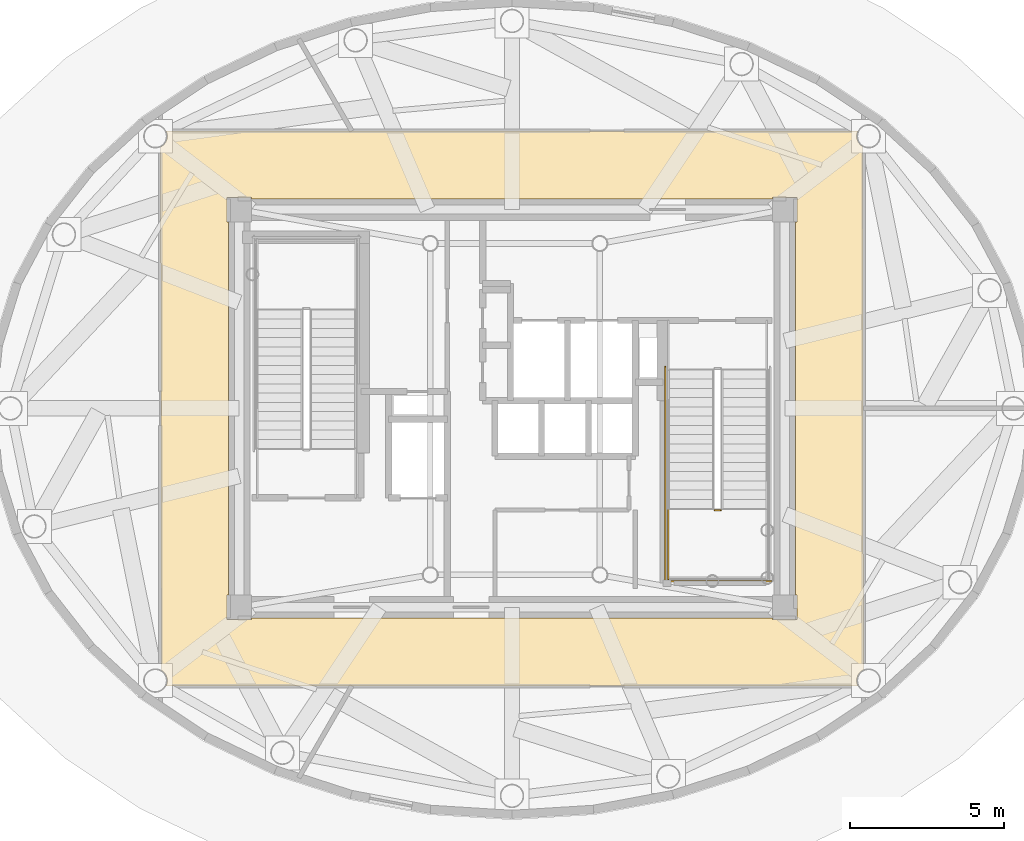
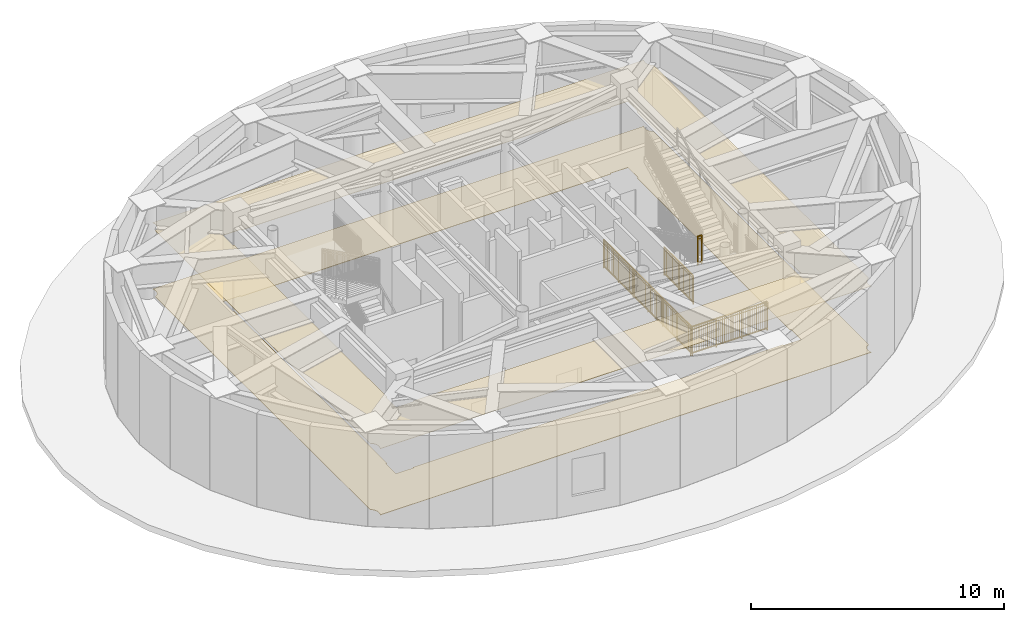
# One storey, part 8 of 11: 4 railings, 2 coverings.
"""IFC4 building model written with IfcOpenShell, lengths in metres."""

from ifc_helpers import new_model, si_unit, direction, frame, origin, origin_2d, place, context, subcontext, project, spatial, polyline, rectangle, outline, extrude, source, transform, mapped, material, layer, layer_set, type_object, element, save


model = new_model("IFC4")

# Units and contexts
model_context = context("Model", 3, precision=1e-05, world=origin(), true_north=direction((0.0, 1.0)))
body_context = subcontext(model_context, "Body", "Model", "MODEL_VIEW")
ifc_project = project(units=[si_unit("LENGTHUNIT", "METRE"), si_unit("AREAUNIT", "SQUARE_METRE"), si_unit("VOLUMEUNIT", "CUBIC_METRE"), si_unit("PLANEANGLEUNIT", "RADIAN"), si_unit("MASSUNIT", "GRAM", prefix="KILO")], contexts=[model_context])

# Site, building, storey
site_placement = place(None, origin())
site = spatial("IfcSite", under=ifc_project, at=site_placement, CompositionType="ELEMENT")
building_placement = place(site_placement, origin())
building = spatial("IfcBuilding", under=site, at=building_placement, Name="Linh Dai School and Residence Tower", CompositionType="ELEMENT")
storey_placement = place(building_placement, frame((0.0, 0.0, 363.60009765625)))
storey = spatial("IfcBuildingStorey", under=building, at=storey_placement, Name="L90", CompositionType="ELEMENT", Elevation=363.60009765625)

# Coverings
ifc_material_1 = material(Name="Mineral Fibre Acoustic Suspended Ceiling", Category="masonry")
ifc_layer_1 = layer(ifc_material_1, 0.02001953125)
ifc_layer_set_1 = layer_set([ifc_layer_1], Name="Mineral Fibre Acoustic Suspended Ceiling")
covering_type_1 = type_object("IfcCoveringType", Name="COV-CEIL-AC-20", PredefinedType="CEILING", material=ifc_layer_set_1)
covering_1_placement = place(storey_placement, frame((0.0, 0.0, 3.199951171875)))
element("IfcCovering", 1, at=covering_1_placement, inside=storey, type_object=covering_type_1, Name="L90 Crown Plant Ring Corridor Suspended Ceiling", PredefinedType="CEILING", context=body_context, shape_type="SweptSolid", body=[
    extrude(outline(polyline([(24.60009765625, 35.4775390625), (24.70751953125, 35.55078125), (24.77001953125, 35.63232421875), (24.80908203125, 35.72705078125), (24.822509765625, 35.828857421875), (24.80908203125, 35.930419921875), (24.780517578125, 36.0), (47.219482421875, 36.0), (47.19091796875, 35.930419921875), (47.177490234375, 35.828857421875), (47.19091796875, 35.72705078125), (47.22998046875, 35.63232421875), (47.29248046875, 35.55078125), (47.373779296875, 35.48828125), (47.39990234375, 18.5224609375), (47.29248046875, 18.44921875), (47.22998046875, 18.36767578125), (47.19091796875, 18.27294921875), (47.177490234375, 18.171142578125), (47.19091796875, 18.069580078125), (47.219482421875, 18.0), (24.780517578125, 18.0), (24.80908203125, 18.069580078125), (24.822509765625, 18.171142578125), (24.80908203125, 18.27294921875), (24.77001953125, 18.36767578125), (24.70751953125, 18.44921875), (24.626220703125, 18.51171875), (24.60009765625, 35.4775390625)]), holes=[polyline([(26.800048828125, 20.949951171875), (26.75, 20.949951171875), (26.75, 20.14990234375), (27.550048828125, 20.14990234375), (27.550048828125, 20.199951171875), (44.449951171875, 20.199951171875), (44.449951171875, 20.14990234375), (45.25, 20.14990234375), (45.25, 20.949951171875), (45.199951171875, 20.949951171875), (45.199951171875, 33.050048828125), (45.25, 33.050048828125), (45.25, 33.85009765625), (44.449951171875, 33.85009765625), (44.449951171875, 33.800048828125), (27.550048828125, 33.800048828125), (27.550048828125, 33.85009765625), (26.75, 33.85009765625), (26.75, 33.050048828125), (26.800048828125, 33.050048828125), (26.800048828125, 20.949951171875)])]), origin(), (0.0, 0.0, 1.0), 0.02001953125),
])
ifc_material_2 = material(Name="Polished Terrazzo Floor Finish", Category="masonry")
ifc_layer_2 = layer(ifc_material_2, 0.02490234375)
ifc_layer_set_2 = layer_set([ifc_layer_2], Name="Polished Terrazzo Floor Finish")
covering_type_2 = type_object("IfcCoveringType", Name="COV-FLR-TRZ-25", PredefinedType="FLOORING", material=ifc_layer_set_2)
covering_2_placement = place(storey_placement, origin())
element("IfcCovering", 2, at=covering_2_placement, inside=storey, type_object=covering_type_2, Name="L90 Crown Plant Ring Corridor Floor Finish", PredefinedType="FLOORING", context=body_context, shape_type="SweptSolid", body=[
    extrude(outline(polyline([(24.60009765625, 35.4775390625), (24.70751953125, 35.55078125), (24.77001953125, 35.63232421875), (24.80908203125, 35.72705078125), (24.822509765625, 35.828857421875), (24.80908203125, 35.930419921875), (24.780517578125, 36.0), (47.219482421875, 36.0), (47.19091796875, 35.930419921875), (47.177490234375, 35.828857421875), (47.19091796875, 35.72705078125), (47.22998046875, 35.63232421875), (47.29248046875, 35.55078125), (47.373779296875, 35.48828125), (47.39990234375, 18.5224609375), (47.29248046875, 18.44921875), (47.22998046875, 18.36767578125), (47.19091796875, 18.27294921875), (47.177490234375, 18.171142578125), (47.19091796875, 18.069580078125), (47.219482421875, 18.0), (24.780517578125, 18.0), (24.80908203125, 18.069580078125), (24.822509765625, 18.171142578125), (24.80908203125, 18.27294921875), (24.77001953125, 18.36767578125), (24.70751953125, 18.44921875), (24.626220703125, 18.51171875), (24.60009765625, 35.4775390625)]), holes=[polyline([(26.800048828125, 20.949951171875), (26.75, 20.949951171875), (26.75, 20.14990234375), (27.550048828125, 20.14990234375), (27.550048828125, 20.199951171875), (44.449951171875, 20.199951171875), (44.449951171875, 20.14990234375), (45.25, 20.14990234375), (45.25, 20.949951171875), (45.199951171875, 20.949951171875), (45.199951171875, 33.050048828125), (45.25, 33.050048828125), (45.25, 33.85009765625), (44.449951171875, 33.85009765625), (44.449951171875, 33.800048828125), (27.550048828125, 33.800048828125), (27.550048828125, 33.85009765625), (26.75, 33.85009765625), (26.75, 33.050048828125), (26.800048828125, 33.050048828125), (26.800048828125, 20.949951171875)])]), origin(), (0.0, 0.0, 1.0), 0.02001953125),
])

# Railings
ifc_material_3 = material(Name="Structural Steel S355JR", Category="steel")
railing_type = type_object("IfcRailingType", Name="RL-ST-GUARD-1400", PredefinedType="GUARDRAIL", material=ifc_material_3)
shared_shape_1 = source(origin(), body_context, "Body", "SweptSolid", [
    extrude(rectangle(XDim=0.048095703125, YDim=0.048095703125, at=origin_2d()), frame((0.0, 0.0, 1.3759765625), z_axis=(1.0, 0.0, 0.0), x_axis=(0.0, 1.0, 0.0)), (0.0, 0.0, 1.0), 0.199951171875),
    extrude(rectangle(XDim=0.048095703125, YDim=0.048095703125, at=origin_2d()), frame((0.0, 0.0, 0.10009765625), z_axis=(1.0, 0.0, 0.0), x_axis=(0.0, 1.0, 0.0)), (0.0, 0.0, 1.0), 0.199951171875),
    extrude(rectangle(XDim=0.030029296875, YDim=0.030029296875, at=origin_2d()), frame((0.0, 0.0, 1.239990234375), z_axis=(1.0, 0.0, 0.0), x_axis=(0.0, 1.0, 0.0)), (0.0, 0.0, 1.0), 0.199951171875),
    extrude(rectangle(XDim=0.0419921875, YDim=0.0419921875, at=origin_2d()), origin(), (0.0, 0.0, 1.0), 1.3759765625),
    extrude(rectangle(XDim=0.0419921875, YDim=0.0419921875, at=origin_2d()), frame((0.199951171875, 0.0, 0.0)), (0.0, 0.0, 1.0), 1.3759765625),
])
railing_1_placement = place(storey_placement, frame((42.570068359375, 23.699951171875, 2.39990234375)))
element("IfcRailing", 3, at=railing_1_placement, inside=storey, type_object=railing_type, Name="L90 ST2 stair guard 2", PredefinedType="GUARDRAIL", context=body_context, shape_type="MappedRepresentation", body=[
    mapped(shared_shape_1, transform((0.0, 0.0, 0.0), x_axis=(1.0, 0.0, 0.0), y_axis=(0.0, 1.0, 0.0), z_axis=(0.0, 0.0, 1.0), scale=1.0)),
])
shared_shape_2 = source(origin(), body_context, "Body", "SweptSolid", [
    extrude(rectangle(XDim=0.048095703125, YDim=0.048095703125, at=origin_2d()), frame((0.0, 0.0, 1.3759765625), z_axis=(0.0, -1.0, 0.0), x_axis=(1.0, 0.0, 0.0)), (0.0, 0.0, 1.0), 7.0),
    extrude(rectangle(XDim=0.048095703125, YDim=0.048095703125, at=origin_2d()), frame((0.0, 0.0, 0.10009765625), z_axis=(0.0, -1.0, 0.0), x_axis=(1.0, 0.0, 0.0)), (0.0, 0.0, 1.0), 7.0),
    extrude(rectangle(XDim=0.030029296875, YDim=0.030029296875, at=origin_2d()), frame((0.0, 0.0, 1.239990234375), z_axis=(0.0, -1.0, 0.0), x_axis=(1.0, 0.0, 0.0)), (0.0, 0.0, 1.0), 7.0),
    extrude(rectangle(XDim=0.02001953125, YDim=0.02001953125, at=origin_2d()), frame((0.0, -0.09716796875, 0.10009765625)), (0.0, 0.0, 1.0), 1.251708984375),
    extrude(rectangle(XDim=0.02001953125, YDim=0.02001953125, at=origin_2d()), frame((0.0, -0.1943359375, 0.10009765625)), (0.0, 0.0, 1.0), 1.251708984375),
    extrude(rectangle(XDim=0.02001953125, YDim=0.02001953125, at=origin_2d()), frame((0.0, -0.291748046875, 0.10009765625)), (0.0, 0.0, 1.0), 1.251708984375),
    extrude(rectangle(XDim=0.02001953125, YDim=0.02001953125, at=origin_2d()), frame((0.0, -0.388916015625, 0.10009765625)), (0.0, 0.0, 1.0), 1.251708984375),
    extrude(rectangle(XDim=0.02001953125, YDim=0.02001953125, at=origin_2d()), frame((0.0, -0.486083984375, 0.10009765625)), (0.0, 0.0, 1.0), 1.251708984375),
    extrude(rectangle(XDim=0.02001953125, YDim=0.02001953125, at=origin_2d()), frame((0.0, -0.583251953125, 0.10009765625)), (0.0, 0.0, 1.0), 1.251708984375),
    extrude(rectangle(XDim=0.02001953125, YDim=0.02001953125, at=origin_2d()), frame((0.0, -0.6806640625, 0.10009765625)), (0.0, 0.0, 1.0), 1.251708984375),
    extrude(rectangle(XDim=0.02001953125, YDim=0.02001953125, at=origin_2d()), frame((0.0, -0.77783203125, 0.10009765625)), (0.0, 0.0, 1.0), 1.251708984375),
    extrude(rectangle(XDim=0.02001953125, YDim=0.02001953125, at=origin_2d()), frame((0.0, -0.875, 0.10009765625)), (0.0, 0.0, 1.0), 1.251708984375),
    extrude(rectangle(XDim=0.02001953125, YDim=0.02001953125, at=origin_2d()), frame((0.0, -0.97216796875, 0.10009765625)), (0.0, 0.0, 1.0), 1.251708984375),
    extrude(rectangle(XDim=0.02001953125, YDim=0.02001953125, at=origin_2d()), frame((0.0, -1.0693359375, 0.10009765625)), (0.0, 0.0, 1.0), 1.251708984375),
    extrude(rectangle(XDim=0.02001953125, YDim=0.02001953125, at=origin_2d()), frame((0.0, -1.263916015625, 0.10009765625)), (0.0, 0.0, 1.0), 1.251708984375),
    extrude(rectangle(XDim=0.02001953125, YDim=0.02001953125, at=origin_2d()), frame((0.0, -1.361083984375, 0.10009765625)), (0.0, 0.0, 1.0), 1.251708984375),
    extrude(rectangle(XDim=0.02001953125, YDim=0.02001953125, at=origin_2d()), frame((0.0, -1.458251953125, 0.10009765625)), (0.0, 0.0, 1.0), 1.251708984375),
    extrude(rectangle(XDim=0.02001953125, YDim=0.02001953125, at=origin_2d()), frame((0.0, -1.5556640625, 0.10009765625)), (0.0, 0.0, 1.0), 1.251708984375),
    extrude(rectangle(XDim=0.02001953125, YDim=0.02001953125, at=origin_2d()), frame((0.0, -1.65283203125, 0.10009765625)), (0.0, 0.0, 1.0), 1.251708984375),
    extrude(rectangle(XDim=0.02001953125, YDim=0.02001953125, at=origin_2d()), frame((0.0, -1.75, 0.10009765625)), (0.0, 0.0, 1.0), 1.251708984375),
    extrude(rectangle(XDim=0.02001953125, YDim=0.02001953125, at=origin_2d()), frame((0.0, -1.84716796875, 0.10009765625)), (0.0, 0.0, 1.0), 1.251708984375),
    extrude(rectangle(XDim=0.02001953125, YDim=0.02001953125, at=origin_2d()), frame((0.0, -1.9443359375, 0.10009765625)), (0.0, 0.0, 1.0), 1.251708984375),
    extrude(rectangle(XDim=0.02001953125, YDim=0.02001953125, at=origin_2d()), frame((0.0, -2.041748046875, 0.10009765625)), (0.0, 0.0, 1.0), 1.251708984375),
    extrude(rectangle(XDim=0.02001953125, YDim=0.02001953125, at=origin_2d()), frame((0.0, -2.138916015625, 0.10009765625)), (0.0, 0.0, 1.0), 1.251708984375),
    extrude(rectangle(XDim=0.02001953125, YDim=0.02001953125, at=origin_2d()), frame((0.0, -2.236083984375, 0.10009765625)), (0.0, 0.0, 1.0), 1.251708984375),
    extrude(rectangle(XDim=0.02001953125, YDim=0.02001953125, at=origin_2d()), frame((0.0, -2.4306640625, 0.10009765625)), (0.0, 0.0, 1.0), 1.251708984375),
    extrude(rectangle(XDim=0.02001953125, YDim=0.02001953125, at=origin_2d()), frame((0.0, -2.52783203125, 0.10009765625)), (0.0, 0.0, 1.0), 1.251708984375),
    extrude(rectangle(XDim=0.02001953125, YDim=0.02001953125, at=origin_2d()), frame((0.0, -2.625, 0.10009765625)), (0.0, 0.0, 1.0), 1.251708984375),
    extrude(rectangle(XDim=0.02001953125, YDim=0.02001953125, at=origin_2d()), frame((0.0, -2.72216796875, 0.10009765625)), (0.0, 0.0, 1.0), 1.251708984375),
    extrude(rectangle(XDim=0.02001953125, YDim=0.02001953125, at=origin_2d()), frame((0.0, -2.8193359375, 0.10009765625)), (0.0, 0.0, 1.0), 1.251708984375),
    extrude(rectangle(XDim=0.02001953125, YDim=0.02001953125, at=origin_2d()), frame((0.0, -2.916748046875, 0.10009765625)), (0.0, 0.0, 1.0), 1.251708984375),
    extrude(rectangle(XDim=0.02001953125, YDim=0.02001953125, at=origin_2d()), frame((0.0, -3.013916015625, 0.10009765625)), (0.0, 0.0, 1.0), 1.251708984375),
    extrude(rectangle(XDim=0.02001953125, YDim=0.02001953125, at=origin_2d()), frame((0.0, -3.111083984375, 0.10009765625)), (0.0, 0.0, 1.0), 1.251708984375),
    extrude(rectangle(XDim=0.02001953125, YDim=0.02001953125, at=origin_2d()), frame((0.0, -3.208251953125, 0.10009765625)), (0.0, 0.0, 1.0), 1.251708984375),
    extrude(rectangle(XDim=0.02001953125, YDim=0.02001953125, at=origin_2d()), frame((0.0, -3.3056640625, 0.10009765625)), (0.0, 0.0, 1.0), 1.251708984375),
    extrude(rectangle(XDim=0.02001953125, YDim=0.02001953125, at=origin_2d()), frame((0.0, -3.40283203125, 0.10009765625)), (0.0, 0.0, 1.0), 1.251708984375),
    extrude(rectangle(XDim=0.02001953125, YDim=0.02001953125, at=origin_2d()), frame((0.0, -3.59716796875, 0.10009765625)), (0.0, 0.0, 1.0), 1.251708984375),
    extrude(rectangle(XDim=0.02001953125, YDim=0.02001953125, at=origin_2d()), frame((0.0, -3.6943359375, 0.10009765625)), (0.0, 0.0, 1.0), 1.251708984375),
    extrude(rectangle(XDim=0.02001953125, YDim=0.02001953125, at=origin_2d()), frame((0.0, -3.791748046875, 0.10009765625)), (0.0, 0.0, 1.0), 1.251708984375),
    extrude(rectangle(XDim=0.02001953125, YDim=0.02001953125, at=origin_2d()), frame((0.0, -3.888916015625, 0.10009765625)), (0.0, 0.0, 1.0), 1.251708984375),
    extrude(rectangle(XDim=0.02001953125, YDim=0.02001953125, at=origin_2d()), frame((0.0, -3.986083984375, 0.10009765625)), (0.0, 0.0, 1.0), 1.251708984375),
    extrude(rectangle(XDim=0.02001953125, YDim=0.02001953125, at=origin_2d()), frame((0.0, -4.083251953125, 0.10009765625)), (0.0, 0.0, 1.0), 1.251708984375),
    extrude(rectangle(XDim=0.02001953125, YDim=0.02001953125, at=origin_2d()), frame((0.0, -4.1806640625, 0.10009765625)), (0.0, 0.0, 1.0), 1.251708984375),
    extrude(rectangle(XDim=0.02001953125, YDim=0.02001953125, at=origin_2d()), frame((0.0, -4.27783203125, 0.10009765625)), (0.0, 0.0, 1.0), 1.251708984375),
    extrude(rectangle(XDim=0.02001953125, YDim=0.02001953125, at=origin_2d()), frame((0.0, -4.375, 0.10009765625)), (0.0, 0.0, 1.0), 1.251708984375),
    extrude(rectangle(XDim=0.02001953125, YDim=0.02001953125, at=origin_2d()), frame((0.0, -4.47216796875, 0.10009765625)), (0.0, 0.0, 1.0), 1.251708984375),
    extrude(rectangle(XDim=0.02001953125, YDim=0.02001953125, at=origin_2d()), frame((0.0, -4.5693359375, 0.10009765625)), (0.0, 0.0, 1.0), 1.251708984375),
    extrude(rectangle(XDim=0.02001953125, YDim=0.02001953125, at=origin_2d()), frame((0.0, -4.763916015625, 0.10009765625)), (0.0, 0.0, 1.0), 1.251708984375),
    extrude(rectangle(XDim=0.02001953125, YDim=0.02001953125, at=origin_2d()), frame((0.0, -4.861083984375, 0.10009765625)), (0.0, 0.0, 1.0), 1.251708984375),
    extrude(rectangle(XDim=0.02001953125, YDim=0.02001953125, at=origin_2d()), frame((0.0, -4.958251953125, 0.10009765625)), (0.0, 0.0, 1.0), 1.251708984375),
    extrude(rectangle(XDim=0.02001953125, YDim=0.02001953125, at=origin_2d()), frame((0.0, -5.0556640625, 0.10009765625)), (0.0, 0.0, 1.0), 1.251708984375),
    extrude(rectangle(XDim=0.02001953125, YDim=0.02001953125, at=origin_2d()), frame((0.0, -5.15283203125, 0.10009765625)), (0.0, 0.0, 1.0), 1.251708984375),
    extrude(rectangle(XDim=0.02001953125, YDim=0.02001953125, at=origin_2d()), frame((0.0, -5.25, 0.10009765625)), (0.0, 0.0, 1.0), 1.251708984375),
    extrude(rectangle(XDim=0.02001953125, YDim=0.02001953125, at=origin_2d()), frame((0.0, -5.34716796875, 0.10009765625)), (0.0, 0.0, 1.0), 1.251708984375),
    extrude(rectangle(XDim=0.02001953125, YDim=0.02001953125, at=origin_2d()), frame((0.0, -5.4443359375, 0.10009765625)), (0.0, 0.0, 1.0), 1.251708984375),
    extrude(rectangle(XDim=0.02001953125, YDim=0.02001953125, at=origin_2d()), frame((0.0, -5.541748046875, 0.10009765625)), (0.0, 0.0, 1.0), 1.251708984375),
    extrude(rectangle(XDim=0.02001953125, YDim=0.02001953125, at=origin_2d()), frame((0.0, -5.638916015625, 0.10009765625)), (0.0, 0.0, 1.0), 1.251708984375),
    extrude(rectangle(XDim=0.02001953125, YDim=0.02001953125, at=origin_2d()), frame((0.0, -5.736083984375, 0.10009765625)), (0.0, 0.0, 1.0), 1.251708984375),
    extrude(rectangle(XDim=0.02001953125, YDim=0.02001953125, at=origin_2d()), frame((0.0, -5.9306640625, 0.10009765625)), (0.0, 0.0, 1.0), 1.251708984375),
    extrude(rectangle(XDim=0.02001953125, YDim=0.02001953125, at=origin_2d()), frame((0.0, -6.02783203125, 0.10009765625)), (0.0, 0.0, 1.0), 1.251708984375),
    extrude(rectangle(XDim=0.02001953125, YDim=0.02001953125, at=origin_2d()), frame((0.0, -6.125, 0.10009765625)), (0.0, 0.0, 1.0), 1.251708984375),
    extrude(rectangle(XDim=0.02001953125, YDim=0.02001953125, at=origin_2d()), frame((0.0, -6.22216796875, 0.10009765625)), (0.0, 0.0, 1.0), 1.251708984375),
    extrude(rectangle(XDim=0.02001953125, YDim=0.02001953125, at=origin_2d()), frame((0.0, -6.3193359375, 0.10009765625)), (0.0, 0.0, 1.0), 1.251708984375),
    extrude(rectangle(XDim=0.02001953125, YDim=0.02001953125, at=origin_2d()), frame((0.0, -6.416748046875, 0.10009765625)), (0.0, 0.0, 1.0), 1.251708984375),
    extrude(rectangle(XDim=0.02001953125, YDim=0.02001953125, at=origin_2d()), frame((0.0, -6.513916015625, 0.10009765625)), (0.0, 0.0, 1.0), 1.251708984375),
    extrude(rectangle(XDim=0.02001953125, YDim=0.02001953125, at=origin_2d()), frame((0.0, -6.611083984375, 0.10009765625)), (0.0, 0.0, 1.0), 1.251708984375),
    extrude(rectangle(XDim=0.02001953125, YDim=0.02001953125, at=origin_2d()), frame((0.0, -6.708251953125, 0.10009765625)), (0.0, 0.0, 1.0), 1.251708984375),
    extrude(rectangle(XDim=0.02001953125, YDim=0.02001953125, at=origin_2d()), frame((0.0, -6.8056640625, 0.10009765625)), (0.0, 0.0, 1.0), 1.251708984375),
    extrude(rectangle(XDim=0.02001953125, YDim=0.02001953125, at=origin_2d()), frame((0.0, -6.90283203125, 0.10009765625)), (0.0, 0.0, 1.0), 1.251708984375),
    extrude(rectangle(XDim=0.0419921875, YDim=0.0419921875, at=origin_2d()), origin(), (0.0, 0.0, 1.0), 1.3759765625),
    extrude(rectangle(XDim=0.0419921875, YDim=0.0419921875, at=origin_2d()), frame((0.0, -1.166748046875, 0.0)), (0.0, 0.0, 1.0), 1.3759765625),
    extrude(rectangle(XDim=0.0419921875, YDim=0.0419921875, at=origin_2d()), frame((0.0, -2.333251953125, 0.0)), (0.0, 0.0, 1.0), 1.3759765625),
    extrude(rectangle(XDim=0.0419921875, YDim=0.0419921875, at=origin_2d()), frame((0.0, -3.5, 0.0)), (0.0, 0.0, 1.0), 1.3759765625),
    extrude(rectangle(XDim=0.0419921875, YDim=0.0419921875, at=origin_2d()), frame((0.0, -4.666748046875, 0.0)), (0.0, 0.0, 1.0), 1.3759765625),
    extrude(rectangle(XDim=0.0419921875, YDim=0.0419921875, at=origin_2d()), frame((0.0, -5.833251953125, 0.0)), (0.0, 0.0, 1.0), 1.3759765625),
    extrude(rectangle(XDim=0.0419921875, YDim=0.0419921875, at=origin_2d()), frame((0.0, -7.0, 0.0)), (0.0, 0.0, 1.0), 1.3759765625),
])
railing_2_placement = place(storey_placement, frame((40.969970703125, 28.35009765625, 0.0)))
element("IfcRailing", 4, at=railing_2_placement, inside=storey, type_object=railing_type, Name="L90 ST2 stair guard 10", PredefinedType="GUARDRAIL", context=body_context, shape_type="MappedRepresentation", body=[
    mapped(shared_shape_2, transform((0.0, 0.0, 0.0), x_axis=(1.0, 0.0, 0.0), y_axis=(0.0, 1.0, 0.0), z_axis=(0.0, 0.0, 1.0), scale=1.0)),
])
shared_shape_3 = source(origin(), body_context, "Body", "SweptSolid", [
    extrude(rectangle(XDim=0.048095703125, YDim=0.048095703125, at=origin_2d()), frame((0.0, 0.0, 1.3759765625), z_axis=(1.0, 0.0, 0.0), x_axis=(0.0, 1.0, 0.0)), (0.0, 0.0, 1.0), 3.5),
    extrude(rectangle(XDim=0.048095703125, YDim=0.048095703125, at=origin_2d()), frame((0.0, 0.0, 0.10009765625), z_axis=(1.0, 0.0, 0.0), x_axis=(0.0, 1.0, 0.0)), (0.0, 0.0, 1.0), 3.5),
    extrude(rectangle(XDim=0.030029296875, YDim=0.030029296875, at=origin_2d()), frame((0.0, 0.0, 1.239990234375), z_axis=(1.0, 0.0, 0.0), x_axis=(0.0, 1.0, 0.0)), (0.0, 0.0, 1.0), 3.5),
    extrude(rectangle(XDim=0.02001953125, YDim=0.02001953125, at=origin_2d()), frame((0.09716796875, 0.0, 0.10009765625)), (0.0, 0.0, 1.0), 1.251708984375),
    extrude(rectangle(XDim=0.02001953125, YDim=0.02001953125, at=origin_2d()), frame((0.1943359375, 0.0, 0.10009765625)), (0.0, 0.0, 1.0), 1.251708984375),
    extrude(rectangle(XDim=0.02001953125, YDim=0.02001953125, at=origin_2d()), frame((0.291748046875, 0.0, 0.10009765625)), (0.0, 0.0, 1.0), 1.251708984375),
    extrude(rectangle(XDim=0.02001953125, YDim=0.02001953125, at=origin_2d()), frame((0.388916015625, 0.0, 0.10009765625)), (0.0, 0.0, 1.0), 1.251708984375),
    extrude(rectangle(XDim=0.02001953125, YDim=0.02001953125, at=origin_2d()), frame((0.486083984375, 0.0, 0.10009765625)), (0.0, 0.0, 1.0), 1.251708984375),
    extrude(rectangle(XDim=0.02001953125, YDim=0.02001953125, at=origin_2d()), frame((0.583251953125, 0.0, 0.10009765625)), (0.0, 0.0, 1.0), 1.251708984375),
    extrude(rectangle(XDim=0.02001953125, YDim=0.02001953125, at=origin_2d()), frame((0.6806640625, 0.0, 0.10009765625)), (0.0, 0.0, 1.0), 1.251708984375),
    extrude(rectangle(XDim=0.02001953125, YDim=0.02001953125, at=origin_2d()), frame((0.77783203125, 0.0, 0.10009765625)), (0.0, 0.0, 1.0), 1.251708984375),
    extrude(rectangle(XDim=0.02001953125, YDim=0.02001953125, at=origin_2d()), frame((0.875, 0.0, 0.10009765625)), (0.0, 0.0, 1.0), 1.251708984375),
    extrude(rectangle(XDim=0.02001953125, YDim=0.02001953125, at=origin_2d()), frame((0.97216796875, 0.0, 0.10009765625)), (0.0, 0.0, 1.0), 1.251708984375),
    extrude(rectangle(XDim=0.02001953125, YDim=0.02001953125, at=origin_2d()), frame((1.0693359375, 0.0, 0.10009765625)), (0.0, 0.0, 1.0), 1.251708984375),
    extrude(rectangle(XDim=0.02001953125, YDim=0.02001953125, at=origin_2d()), frame((1.263916015625, 0.0, 0.10009765625)), (0.0, 0.0, 1.0), 1.251708984375),
    extrude(rectangle(XDim=0.02001953125, YDim=0.02001953125, at=origin_2d()), frame((1.361083984375, 0.0, 0.10009765625)), (0.0, 0.0, 1.0), 1.251708984375),
    extrude(rectangle(XDim=0.02001953125, YDim=0.02001953125, at=origin_2d()), frame((1.458251953125, 0.0, 0.10009765625)), (0.0, 0.0, 1.0), 1.251708984375),
    extrude(rectangle(XDim=0.02001953125, YDim=0.02001953125, at=origin_2d()), frame((1.5556640625, 0.0, 0.10009765625)), (0.0, 0.0, 1.0), 1.251708984375),
    extrude(rectangle(XDim=0.02001953125, YDim=0.02001953125, at=origin_2d()), frame((1.65283203125, 0.0, 0.10009765625)), (0.0, 0.0, 1.0), 1.251708984375),
    extrude(rectangle(XDim=0.02001953125, YDim=0.02001953125, at=origin_2d()), frame((1.75, 0.0, 0.10009765625)), (0.0, 0.0, 1.0), 1.251708984375),
    extrude(rectangle(XDim=0.02001953125, YDim=0.02001953125, at=origin_2d()), frame((1.84716796875, 0.0, 0.10009765625)), (0.0, 0.0, 1.0), 1.251708984375),
    extrude(rectangle(XDim=0.02001953125, YDim=0.02001953125, at=origin_2d()), frame((1.9443359375, 0.0, 0.10009765625)), (0.0, 0.0, 1.0), 1.251708984375),
    extrude(rectangle(XDim=0.02001953125, YDim=0.02001953125, at=origin_2d()), frame((2.041748046875, 0.0, 0.10009765625)), (0.0, 0.0, 1.0), 1.251708984375),
    extrude(rectangle(XDim=0.02001953125, YDim=0.02001953125, at=origin_2d()), frame((2.138916015625, 0.0, 0.10009765625)), (0.0, 0.0, 1.0), 1.251708984375),
    extrude(rectangle(XDim=0.02001953125, YDim=0.02001953125, at=origin_2d()), frame((2.236083984375, 0.0, 0.10009765625)), (0.0, 0.0, 1.0), 1.251708984375),
    extrude(rectangle(XDim=0.02001953125, YDim=0.02001953125, at=origin_2d()), frame((2.4306640625, 0.0, 0.10009765625)), (0.0, 0.0, 1.0), 1.251708984375),
    extrude(rectangle(XDim=0.02001953125, YDim=0.02001953125, at=origin_2d()), frame((2.52783203125, 0.0, 0.10009765625)), (0.0, 0.0, 1.0), 1.251708984375),
    extrude(rectangle(XDim=0.02001953125, YDim=0.02001953125, at=origin_2d()), frame((2.625, 0.0, 0.10009765625)), (0.0, 0.0, 1.0), 1.251708984375),
    extrude(rectangle(XDim=0.02001953125, YDim=0.02001953125, at=origin_2d()), frame((2.72216796875, 0.0, 0.10009765625)), (0.0, 0.0, 1.0), 1.251708984375),
    extrude(rectangle(XDim=0.02001953125, YDim=0.02001953125, at=origin_2d()), frame((2.8193359375, 0.0, 0.10009765625)), (0.0, 0.0, 1.0), 1.251708984375),
    extrude(rectangle(XDim=0.02001953125, YDim=0.02001953125, at=origin_2d()), frame((2.916748046875, 0.0, 0.10009765625)), (0.0, 0.0, 1.0), 1.251708984375),
    extrude(rectangle(XDim=0.02001953125, YDim=0.02001953125, at=origin_2d()), frame((3.013916015625, 0.0, 0.10009765625)), (0.0, 0.0, 1.0), 1.251708984375),
    extrude(rectangle(XDim=0.02001953125, YDim=0.02001953125, at=origin_2d()), frame((3.111083984375, 0.0, 0.10009765625)), (0.0, 0.0, 1.0), 1.251708984375),
    extrude(rectangle(XDim=0.02001953125, YDim=0.02001953125, at=origin_2d()), frame((3.208251953125, 0.0, 0.10009765625)), (0.0, 0.0, 1.0), 1.251708984375),
    extrude(rectangle(XDim=0.02001953125, YDim=0.02001953125, at=origin_2d()), frame((3.3056640625, 0.0, 0.10009765625)), (0.0, 0.0, 1.0), 1.251708984375),
    extrude(rectangle(XDim=0.02001953125, YDim=0.02001953125, at=origin_2d()), frame((3.40283203125, 0.0, 0.10009765625)), (0.0, 0.0, 1.0), 1.251708984375),
    extrude(rectangle(XDim=0.0419921875, YDim=0.0419921875, at=origin_2d()), origin(), (0.0, 0.0, 1.0), 1.3759765625),
    extrude(rectangle(XDim=0.0419921875, YDim=0.0419921875, at=origin_2d()), frame((1.166748046875, 0.0, 0.0)), (0.0, 0.0, 1.0), 1.3759765625),
    extrude(rectangle(XDim=0.0419921875, YDim=0.0419921875, at=origin_2d()), frame((2.333251953125, 0.0, 0.0)), (0.0, 0.0, 1.0), 1.3759765625),
    extrude(rectangle(XDim=0.0419921875, YDim=0.0419921875, at=origin_2d()), frame((3.5, 0.0, 0.0)), (0.0, 0.0, 1.0), 1.3759765625),
])
railing_3_placement = place(storey_placement, frame((40.919921875, 21.39990234375, 0.0)))
element("IfcRailing", 5, at=railing_3_placement, inside=storey, type_object=railing_type, Name="L90 ST2 stair guard 12", PredefinedType="GUARDRAIL", context=body_context, shape_type="MappedRepresentation", body=[
    mapped(shared_shape_3, transform((0.0, 0.0, 0.0), x_axis=(1.0, 0.0, 0.0), y_axis=(0.0, 1.0, 0.0), z_axis=(0.0, 0.0, 1.0), scale=1.0)),
])
shared_shape_4 = source(origin(), body_context, "Body", "SweptSolid", [
    extrude(rectangle(XDim=0.048095703125, YDim=0.048095703125, at=origin_2d()), frame((0.0, 0.0, 1.3759765625), z_axis=(0.0, -1.0, 0.0), x_axis=(1.0, 0.0, 0.0)), (0.0, 0.0, 1.0), 2.300048828125),
    extrude(rectangle(XDim=0.048095703125, YDim=0.048095703125, at=origin_2d()), frame((0.0, 0.0, 0.10009765625), z_axis=(0.0, -1.0, 0.0), x_axis=(1.0, 0.0, 0.0)), (0.0, 0.0, 1.0), 2.300048828125),
    extrude(rectangle(XDim=0.030029296875, YDim=0.030029296875, at=origin_2d()), frame((0.0, 0.0, 1.239990234375), z_axis=(0.0, -1.0, 0.0), x_axis=(1.0, 0.0, 0.0)), (0.0, 0.0, 1.0), 2.300048828125),
    extrude(rectangle(XDim=0.02001953125, YDim=0.02001953125, at=origin_2d()), frame((0.0, -0.095947265625, 0.10009765625)), (0.0, 0.0, 1.0), 1.251708984375),
    extrude(rectangle(XDim=0.02001953125, YDim=0.02001953125, at=origin_2d()), frame((0.0, -0.191650390625, 0.10009765625)), (0.0, 0.0, 1.0), 1.251708984375),
    extrude(rectangle(XDim=0.02001953125, YDim=0.02001953125, at=origin_2d()), frame((0.0, -0.28759765625, 0.10009765625)), (0.0, 0.0, 1.0), 1.251708984375),
    extrude(rectangle(XDim=0.02001953125, YDim=0.02001953125, at=origin_2d()), frame((0.0, -0.38330078125, 0.10009765625)), (0.0, 0.0, 1.0), 1.251708984375),
    extrude(rectangle(XDim=0.02001953125, YDim=0.02001953125, at=origin_2d()), frame((0.0, -0.479248046875, 0.10009765625)), (0.0, 0.0, 1.0), 1.251708984375),
    extrude(rectangle(XDim=0.02001953125, YDim=0.02001953125, at=origin_2d()), frame((0.0, -0.574951171875, 0.10009765625)), (0.0, 0.0, 1.0), 1.251708984375),
    extrude(rectangle(XDim=0.02001953125, YDim=0.02001953125, at=origin_2d()), frame((0.0, -0.6708984375, 0.10009765625)), (0.0, 0.0, 1.0), 1.251708984375),
    extrude(rectangle(XDim=0.02001953125, YDim=0.02001953125, at=origin_2d()), frame((0.0, -0.7666015625, 0.10009765625)), (0.0, 0.0, 1.0), 1.251708984375),
    extrude(rectangle(XDim=0.02001953125, YDim=0.02001953125, at=origin_2d()), frame((0.0, -0.862548828125, 0.10009765625)), (0.0, 0.0, 1.0), 1.251708984375),
    extrude(rectangle(XDim=0.02001953125, YDim=0.02001953125, at=origin_2d()), frame((0.0, -0.958251953125, 0.10009765625)), (0.0, 0.0, 1.0), 1.251708984375),
    extrude(rectangle(XDim=0.02001953125, YDim=0.02001953125, at=origin_2d()), frame((0.0, -1.05419921875, 0.10009765625)), (0.0, 0.0, 1.0), 1.251708984375),
    extrude(rectangle(XDim=0.02001953125, YDim=0.02001953125, at=origin_2d()), frame((0.0, -1.245849609375, 0.10009765625)), (0.0, 0.0, 1.0), 1.251708984375),
    extrude(rectangle(XDim=0.02001953125, YDim=0.02001953125, at=origin_2d()), frame((0.0, -1.341796875, 0.10009765625)), (0.0, 0.0, 1.0), 1.251708984375),
    extrude(rectangle(XDim=0.02001953125, YDim=0.02001953125, at=origin_2d()), frame((0.0, -1.4375, 0.10009765625)), (0.0, 0.0, 1.0), 1.251708984375),
    extrude(rectangle(XDim=0.02001953125, YDim=0.02001953125, at=origin_2d()), frame((0.0, -1.533447265625, 0.10009765625)), (0.0, 0.0, 1.0), 1.251708984375),
    extrude(rectangle(XDim=0.02001953125, YDim=0.02001953125, at=origin_2d()), frame((0.0, -1.629150390625, 0.10009765625)), (0.0, 0.0, 1.0), 1.251708984375),
    extrude(rectangle(XDim=0.02001953125, YDim=0.02001953125, at=origin_2d()), frame((0.0, -1.72509765625, 0.10009765625)), (0.0, 0.0, 1.0), 1.251708984375),
    extrude(rectangle(XDim=0.02001953125, YDim=0.02001953125, at=origin_2d()), frame((0.0, -1.82080078125, 0.10009765625)), (0.0, 0.0, 1.0), 1.251708984375),
    extrude(rectangle(XDim=0.02001953125, YDim=0.02001953125, at=origin_2d()), frame((0.0, -1.916748046875, 0.10009765625)), (0.0, 0.0, 1.0), 1.251708984375),
    extrude(rectangle(XDim=0.02001953125, YDim=0.02001953125, at=origin_2d()), frame((0.0, -2.012451171875, 0.10009765625)), (0.0, 0.0, 1.0), 1.251708984375),
    extrude(rectangle(XDim=0.02001953125, YDim=0.02001953125, at=origin_2d()), frame((0.0, -2.1083984375, 0.10009765625)), (0.0, 0.0, 1.0), 1.251708984375),
    extrude(rectangle(XDim=0.02001953125, YDim=0.02001953125, at=origin_2d()), frame((0.0, -2.2041015625, 0.10009765625)), (0.0, 0.0, 1.0), 1.251708984375),
    extrude(rectangle(XDim=0.0419921875, YDim=0.0419921875, at=origin_2d()), origin(), (0.0, 0.0, 1.0), 1.3759765625),
    extrude(rectangle(XDim=0.0419921875, YDim=0.0419921875, at=origin_2d()), frame((0.0, -1.14990234375, 0.0)), (0.0, 0.0, 1.0), 1.3759765625),
    extrude(rectangle(XDim=0.0419921875, YDim=0.0419921875, at=origin_2d()), frame((0.0, -2.300048828125, 0.0)), (0.0, 0.0, 1.0), 1.3759765625),
])
railing_4_placement = place(storey_placement, frame((41.070068359375, 23.75, 2.39990234375)))
element("IfcRailing", 6, at=railing_4_placement, inside=storey, type_object=railing_type, Name="L90 ST2 stair guard 3", PredefinedType="GUARDRAIL", context=body_context, shape_type="MappedRepresentation", body=[
    mapped(shared_shape_4, transform((0.0, 0.0, 0.0), x_axis=(1.0, 0.0, 0.0), y_axis=(0.0, 1.0, 0.0), z_axis=(0.0, 0.0, 1.0), scale=1.0)),
])

save(model, "model.ifc")
